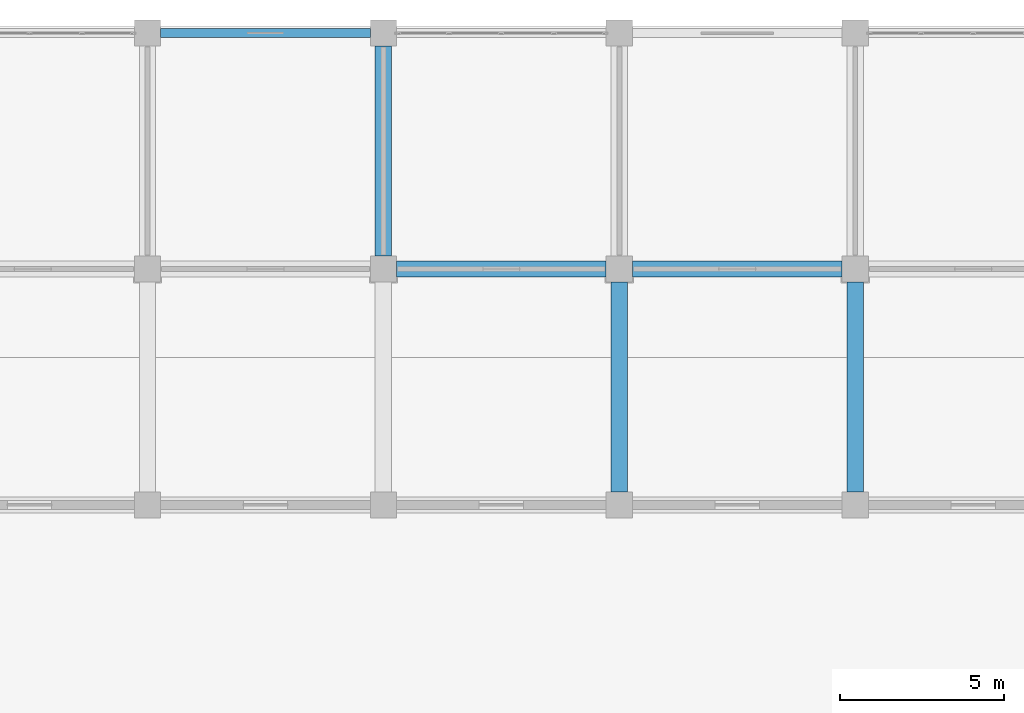
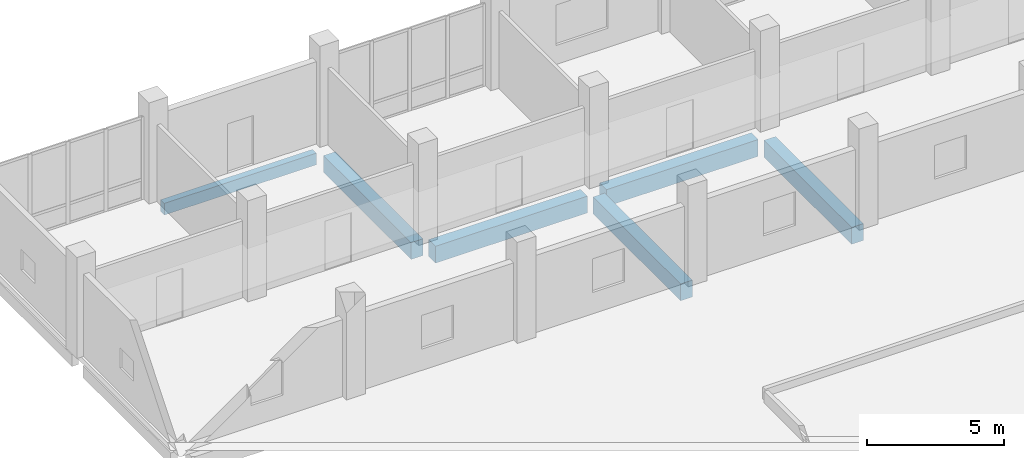
# One storey, part 49 of 139: 6 beams.
"""IFC4 building model written with IfcOpenShell, lengths in metres."""

from ifc_helpers import new_model, si_unit, direction, frame, origin, origin_2d, place, context, subcontext, project, spatial, rectangle, extrude, material, material_profile, profile_set, type_object, element, save


model = new_model("IFC4")

# Units and contexts
model_context = context("Model", 3, precision=1e-05, world=origin(), true_north=direction((0.0, 1.0)))
body_context = subcontext(model_context, "Body", "Model", "MODEL_VIEW")
ifc_project = project(units=[si_unit("LENGTHUNIT", "METRE"), si_unit("AREAUNIT", "SQUARE_METRE"), si_unit("VOLUMEUNIT", "CUBIC_METRE"), si_unit("PLANEANGLEUNIT", "RADIAN"), si_unit("MASSUNIT", "GRAM", prefix="KILO")], contexts=[model_context])

# Site, building, storey
site_placement = place(None, origin())
site = spatial("IfcSite", under=ifc_project, at=site_placement, CompositionType="ELEMENT")
building_placement = place(site_placement, origin())
building = spatial("IfcBuilding", under=site, at=building_placement, Name="Suanplinth Sawtooth Commons", CompositionType="ELEMENT")
storey_placement = place(building_placement, origin())
storey = spatial("IfcBuildingStorey", under=building, at=storey_placement, Name="L00", CompositionType="ELEMENT", Elevation=0.0)

# Beams
ifc_material_1 = material(Name="Concrete C40/50", Category="concrete")
ifc_material_profile_1 = material_profile(ifc_material_1, rectangle(XDim=0.5, YDim=0.75, at=origin_2d()), Name="RC-GDR 500x750")
ifc_profile_set_1 = profile_set([ifc_material_profile_1], Name="Concrete C40/50")
beam_type_1 = type_object("IfcBeamType", Name="B-03", PredefinedType="USERDEFINED", material=ifc_profile_set_1)
for number, where, z_axis, x_axis, name in (
    (1, (14.800048828125, 115.199951171875, -0.784912109375), (1.0, 0.0, 0.0), (0.0, 1.0, 0.0), "BMX-L00-A-2-16"),
    (2, (22.0, 115.199951171875, -0.784912109375), (1.0, 0.0, 0.0), (0.0, 1.0, 0.0), "BMX-L00-A-3-16"),
    (3, (14.39990234375, 115.60009765625, -0.784912109375), (0.0, 1.0, 0.0), (-1.0, 0.0, 0.0), "BMY-L00-A-2-16"),
):
    element("IfcBeam", number, at=place(storey_placement, frame(where, z_axis=z_axis, x_axis=x_axis)), inside=storey, type_object=beam_type_1, Name=name, ObjectType="GIRDER", PredefinedType="USERDEFINED", context=body_context, shape_type="SweptSolid", body=[
        extrude(rectangle(XDim=0.5, YDim=0.75, at=origin_2d()), origin(), (0.0, 0.0, 1.0), 6.39990234375),
    ])
for number, where, z_axis, x_axis, name in (
    (4, (21.60009765625, 108.39990234375, -0.784912109375), (0.0, 1.0, 0.0), (-1.0, 0.0, 0.0), "BMY-L00-A-3-15"),
    (5, (28.800048828125, 108.39990234375, -0.784912109375), (0.0, 1.0, 0.0), (-1.0, 0.0, 0.0), "BMY-L00-A-4-15"),
):
    element("IfcBeam", number, at=place(storey_placement, frame(where, z_axis=z_axis, x_axis=x_axis)), inside=storey, type_object=beam_type_1, Name=name, ObjectType="GIRDER", PredefinedType="USERDEFINED", context=body_context, shape_type="SweptSolid", body=[
        extrude(rectangle(XDim=0.5, YDim=0.75, at=origin_2d()), origin(), (0.0, 0.0, 1.0), 6.400146484375),
    ])
ifc_material_2 = material(Name="Precast concrete C40/50", Category="concrete")
ifc_material_profile_2 = material_profile(ifc_material_2, rectangle(XDim=0.280029296875, YDim=0.52001953125, at=origin_2d()), Name="PC-SP 280x520")
ifc_profile_set_2 = profile_set([ifc_material_profile_2], Name="Precast concrete C40/50")
beam_type_2 = type_object("IfcBeamType", Name="B-08", PredefinedType="SPANDREL", material=ifc_profile_set_2)
beam_placement = place(storey_placement, frame((7.60009765625, 122.39990234375, -0.669921875), z_axis=(1.0, 0.0, 0.0), x_axis=(0.0, 1.0, 0.0)))
element("IfcBeam", 6, at=beam_placement, inside=storey, type_object=beam_type_2, Name="BMX-L00-A-1-17", PredefinedType="SPANDREL", context=body_context, shape_type="SweptSolid", body=[
    extrude(rectangle(XDim=0.280029296875, YDim=0.52001953125, at=origin_2d()), origin(), (0.0, 0.0, 1.0), 6.39990234375),
])

save(model, "model.ifc")
